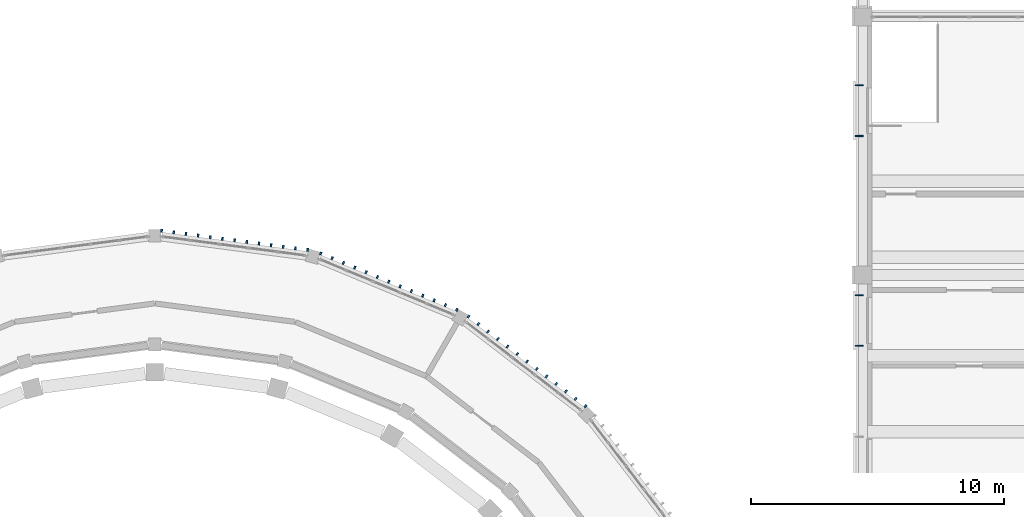
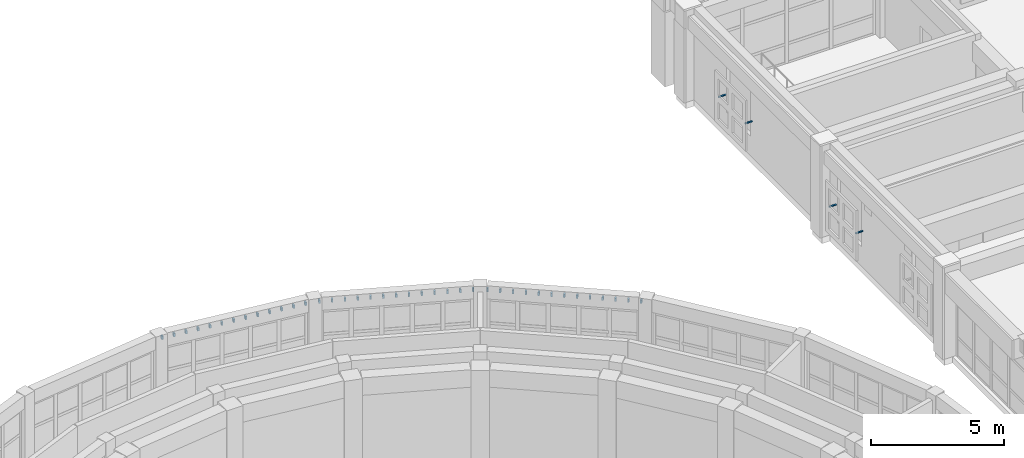
# One storey, part 79 of 99: 43 discrete accessories.
"""IFC4 building model written with IfcOpenShell, lengths in metres."""

from ifc_helpers import new_model, si_unit, direction, frame, origin, origin_2d, place, context, subcontext, project, spatial, rectangle, extrude, material, type_object, element, save


model = new_model("IFC4")

# Units and contexts
model_context = context("Model", 3, precision=1e-05, world=origin(), true_north=direction((0.0, 1.0)))
body_context = subcontext(model_context, "Body", "Model", "MODEL_VIEW")
ifc_project = project(units=[si_unit("LENGTHUNIT", "METRE"), si_unit("AREAUNIT", "SQUARE_METRE"), si_unit("VOLUMEUNIT", "CUBIC_METRE"), si_unit("PLANEANGLEUNIT", "RADIAN"), si_unit("MASSUNIT", "GRAM", prefix="KILO")], contexts=[model_context])

# Site, building, storey
site_placement = place(None, origin())
site = spatial("IfcSite", under=ifc_project, at=site_placement, CompositionType="ELEMENT")
building_placement = place(site_placement, origin())
building = spatial("IfcBuilding", under=site, at=building_placement, Name="Wasatch Bagh Community Centre", CompositionType="ELEMENT")
storey_placement = place(building_placement, frame((0.0, 0.0, 4.199951171875)))
storey = spatial("IfcBuildingStorey", under=building, at=storey_placement, Name="L01", CompositionType="ELEMENT", Elevation=4.199951171875)

# Discrete accessories
ifc_material_1 = material(Name="ASTM A36 steel", Category="steel")
discrete_accessory_type_1 = type_object("IfcDiscreteAccessoryType", Name="Drum fin bracket", PredefinedType="BRACKET", material=ifc_material_1)
for number, where, z_axis, x_axis, name in (
    (1, (53.02734375, 82.41064453125, 3.675048828125), (0.0, 0.0, 1.0), (-0.793353340291, 0.608761429009, 0.0), "Fin bracket 22.1.2"),
    (2, (52.642578125, 82.705810546875, 3.675048828125), (0.0, 0.0, 1.0), (-0.793353340291, 0.608761429009, 0.0), "Fin bracket 22.2.2"),
    (3, (52.2578125, 83.001220703125, 3.675048828125), (0.0, 0.0, 1.0), (-0.793353340291, 0.608761429009, 0.0), "Fin bracket 22.3.2"),
    (4, (51.873046875, 83.29638671875, 3.675048828125), (0.0, 0.0, 1.0), (-0.793353340291, 0.608761429009, 0.0), "Fin bracket 22.4.2"),
    (5, (51.48828125, 83.591552734375, 3.675048828125), (0.0, 0.0, 1.0), (-0.793353340291, 0.608761429009, 0.0), "Fin bracket 22.5.2"),
    (6, (51.103515625, 83.88671875, 3.675048828125), (0.0, 0.0, 1.0), (-0.793353340291, 0.608761429009, 0.0), "Fin bracket 22.6.2"),
    (7, (50.718994140625, 84.18212890625, 3.675048828125), (0.0, 0.0, 1.0), (-0.793353340291, 0.608761429009, 0.0), "Fin bracket 22.7.2"),
    (8, (50.334228515625, 84.477294921875, 3.675048828125), (0.0, 0.0, 1.0), (-0.793353340291, 0.608761429009, 0.0), "Fin bracket 22.8.2"),
    (9, (49.949462890625, 84.7724609375, 3.675048828125), (0.0, 0.0, 1.0), (-0.793353340291, 0.608761429009, 0.0), "Fin bracket 22.9.2"),
    (10, (49.564697265625, 85.067626953125, 3.675048828125), (0.0, 0.0, 1.0), (-0.793353340291, 0.608761429009, 0.0), "Fin bracket 22.10.2"),
    (11, (49.179931640625, 85.36279296875, 3.675048828125), (0.0, 0.0, 1.0), (-0.793353340291, 0.608761429009, 0.0), "Fin bracket 22.11.2"),
    (12, (48.795166015625, 85.658203125, 3.675048828125), (0.0, 0.0, 1.0), (-0.793353340291, 0.608761429009, 0.0), "Fin bracket 22.12.2"),
    (13, (48.410400390625, 85.953369140625, 3.675048828125), (0.0, 0.0, 1.0), (-0.793353340291, 0.608761429009, 0.0), "Fin bracket 22.13.2"),
    (14, (47.94091796875, 86.224365234375, 3.675048828125), (0.0, 0.0, 1.0), (-0.923879532511, 0.382683432365, 0.0), "Fin bracket 23.1.2"),
    (15, (47.492919921875, 86.409912109375, 3.675048828125), (0.0, 0.0, 1.0), (-0.923879532511, 0.382683432365, 0.0), "Fin bracket 23.2.2"),
    (16, (47.044921875, 86.595703125, 3.675048828125), (0.0, 0.0, 1.0), (-0.923879532511, 0.382683432365, 0.0), "Fin bracket 23.3.2"),
    (17, (46.5966796875, 86.78125, 3.675048828125), (0.0, 0.0, 1.0), (-0.923879532511, 0.382683432365, 0.0), "Fin bracket 23.4.2"),
    (18, (46.148681640625, 86.966796875, 3.675048828125), (0.0, 0.0, 1.0), (-0.923879532511, 0.382683432365, 0.0), "Fin bracket 23.5.2"),
    (19, (45.70068359375, 87.15234375, 3.675048828125), (0.0, 0.0, 1.0), (-0.923879532511, 0.382683432365, 0.0), "Fin bracket 23.6.2"),
    (20, (45.252685546875, 87.337890625, 3.675048828125), (0.0, 0.0, 1.0), (-0.923879532511, 0.382683432365, 0.0), "Fin bracket 23.7.2"),
    (21, (44.8046875, 87.5234375, 3.675048828125), (0.0, 0.0, 1.0), (-0.923879532511, 0.382683432365, 0.0), "Fin bracket 23.8.2"),
    (22, (44.356689453125, 87.708984375, 3.675048828125), (0.0, 0.0, 1.0), (-0.923879532511, 0.382683432365, 0.0), "Fin bracket 23.9.2"),
    (23, (43.908447265625, 87.894775390625, 3.675048828125), (0.0, 0.0, 1.0), (-0.923879532511, 0.382683432365, 0.0), "Fin bracket 23.10.2"),
    (24, (43.46044921875, 88.080322265625, 3.675048828125), (0.0, 0.0, 1.0), (-0.923879532511, 0.382683432365, 0.0), "Fin bracket 23.11.2"),
    (25, (43.012451171875, 88.265869140625, 3.675048828125), (0.0, 0.0, 1.0), (-0.923879532511, 0.382683432365, 0.0), "Fin bracket 23.12.2"),
    (26, (42.564453125, 88.451416015625, 3.675048828125), (0.0, 0.0, 1.0), (-0.923879532511, 0.382683432365, 0.0), "Fin bracket 23.13.2"),
    (27, (42.040771484375, 88.591796875, 3.675048828125), (0.0, 0.0, 1.0), (-0.991444861374, 0.13052619222, 0.0), "Fin bracket 24.1.2"),
    (28, (41.56005859375, 88.655029296875, 3.675048828125), (0.0, 0.0, 1.0), (-0.991444861374, 0.13052619222, 0.0), "Fin bracket 24.2.2"),
    (29, (41.0791015625, 88.71826171875, 3.675048828125), (0.0, 0.0, 1.0), (-0.991444861374, 0.13052619222, 0.0), "Fin bracket 24.3.2"),
    (30, (40.598388671875, 88.78173828125, 3.675048828125), (0.0, 0.0, 1.0), (-0.991444861374, 0.13052619222, 0.0), "Fin bracket 24.4.2"),
    (31, (40.117431640625, 88.844970703125, 3.675048828125), (0.0, 0.0, 1.0), (-0.991444861374, 0.13052619222, 0.0), "Fin bracket 24.5.2"),
    (32, (39.63671875, 88.908203125, 3.675048828125), (0.0, 0.0, 1.0), (-0.991444861374, 0.13052619222, 0.0), "Fin bracket 24.6.2"),
    (33, (39.156005859375, 88.971435546875, 3.675048828125), (0.0, 0.0, 1.0), (-0.991444861374, 0.13052619222, 0.0), "Fin bracket 24.7.2"),
    (34, (38.675048828125, 89.034912109375, 3.675048828125), (0.0, 0.0, 1.0), (-0.991444861374, 0.13052619222, 0.0), "Fin bracket 24.8.2"),
    (35, (38.1943359375, 89.09814453125, 3.675048828125), (0.0, 0.0, 1.0), (-0.991444861374, 0.13052619222, 0.0), "Fin bracket 24.9.2"),
    (36, (37.71337890625, 89.161376953125, 3.675048828125), (0.0, 0.0, 1.0), (-0.991444861374, 0.13052619222, 0.0), "Fin bracket 24.10.2"),
    (37, (37.232666015625, 89.224853515625, 3.675048828125), (0.0, 0.0, 1.0), (-0.991444861374, 0.13052619222, 0.0), "Fin bracket 24.11.2"),
    (38, (36.751953125, 89.2880859375, 3.675048828125), (0.0, 0.0, 1.0), (-0.991444861374, 0.13052619222, 0.0), "Fin bracket 24.12.2"),
    (39, (36.27099609375, 89.351318359375, 3.675048828125), (0.0, 0.0, 1.0), (-0.991444861374, 0.13052619222, 0.0), "Fin bracket 24.13.2"),
):
    element("IfcDiscreteAccessory", number, at=place(storey_placement, frame(where, z_axis=z_axis, x_axis=x_axis)), inside=storey, type_object=discrete_accessory_type_1, Name=name, PredefinedType="BRACKET", context=body_context, shape_type="SweptSolid", body=[
        extrude(rectangle(XDim=0.070068359375, YDim=0.1201171875, at=origin_2d()), origin(), (0.0, 0.0, 1.0), 0.14990234375),
    ])
ifc_material_2 = material(Name="Galvanised steel", Category="steel")
discrete_accessory_type_2 = type_object("IfcDiscreteAccessoryType", Name="LW jali bracket", PredefinedType="BRACKET", material=ifc_material_2)
for number, where, z_axis, x_axis, name in (
    (40, (63.860107421875, 84.800048828125, 1.63525390625), (0.0, 0.0, 1.0), (1.0, 0.0, 0.0), "Jali bracket"),
    (41, (63.860107421875, 86.800048828125, 1.63525390625), (0.0, 0.0, 1.0), (1.0, 0.0, 0.0), "Jali bracket"),
    (42, (63.860107421875, 93.10009765625, 1.63525390625), (0.0, 0.0, 1.0), (1.0, 0.0, 0.0), "Jali bracket"),
    (43, (63.860107421875, 95.10009765625, 1.63525390625), (0.0, 0.0, 1.0), (1.0, 0.0, 0.0), "Jali bracket"),
):
    element("IfcDiscreteAccessory", number, at=place(storey_placement, frame(where, z_axis=z_axis, x_axis=x_axis)), inside=storey, type_object=discrete_accessory_type_2, Name=name, PredefinedType="BRACKET", context=body_context, shape_type="SweptSolid", body=[
        extrude(rectangle(XDim=0.320068359375, YDim=0.050048828125, at=origin_2d()), origin(), (0.0, 0.0, 1.0), 0.050048828125),
    ])

save(model, "model.ifc")
